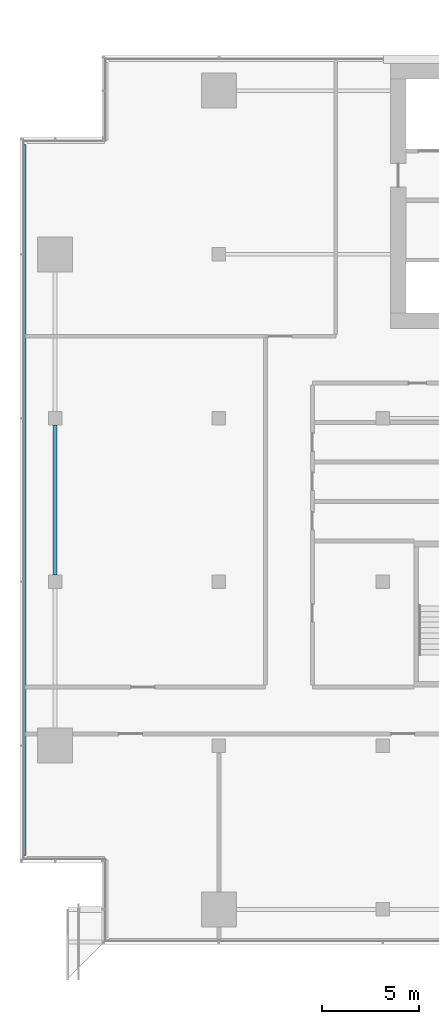
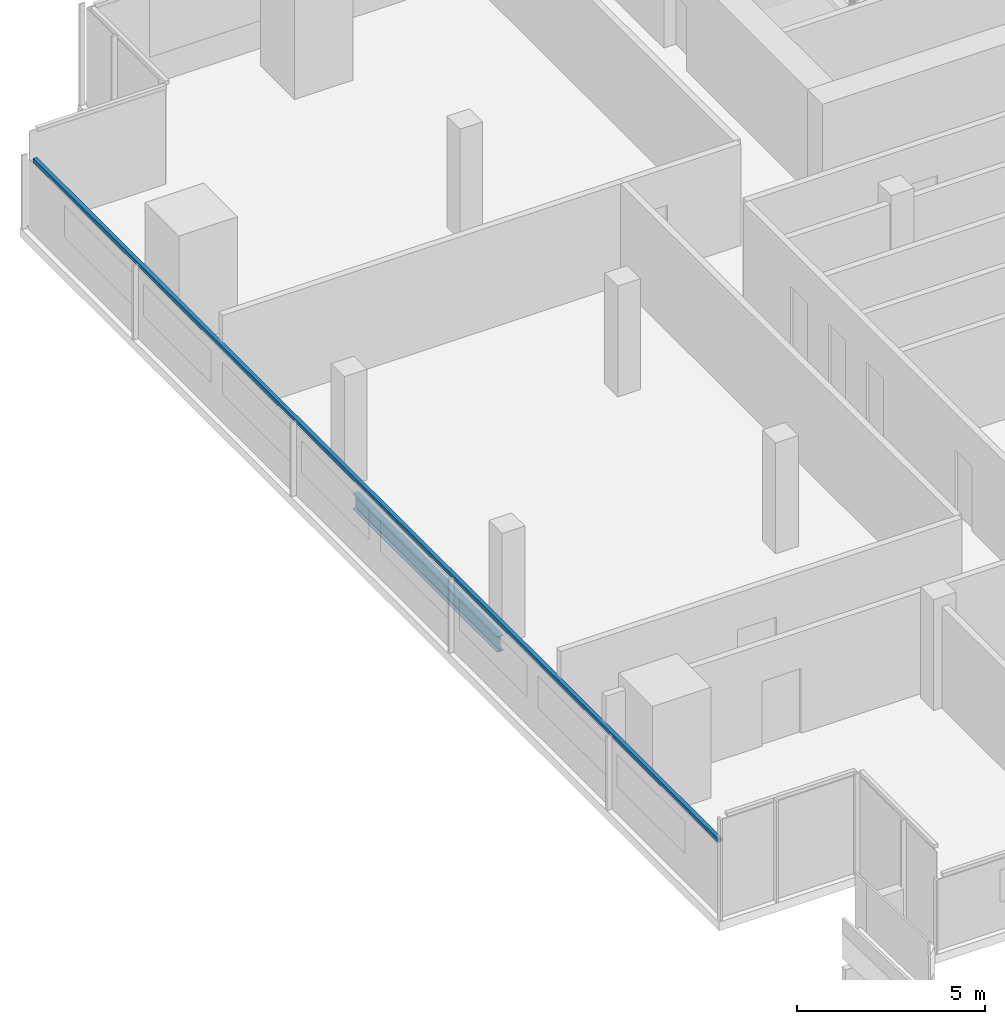
# One storey, part 5 of 24: 1 beam, 1 member, 1 element without a shape of its own.
"""IFC4 building model written with IfcOpenShell, lengths in metres."""

import ifcopenshell
import ifcopenshell.guid

model = None  # the IFC model being written
_history = None  # IfcOwnerHistory: only IFC2X3 demands one
_inside = {}  # id of a spatial element -> (the spatial element, [elements in it])
_under = {}  # id of a project, library or spatial element -> (it, [spatial elements below it])
_declared = {}  # id of a project -> (the project, [libraries it declares])
_typed = {}  # id of a type object -> (the type object, [elements of that type])
_made_of = {}  # id of a material, layer set ... -> (it, [elements and type objects made of it])


def new_model(schema):
    """Start an empty IFC model of exactly this schema.

    Asked for "IFC4X3", IfcOpenShell would pick the latest addendum, in which some entities
    have other attributes; the version numbers below select the first issue.
    IFC2X3 requires an IfcOwnerHistory on every rooted entity: one is made here for all.
    """
    global model, _history
    if schema == "IFC4X3":
        model = ifcopenshell.file(schema_version=(4, 3, 0, 0))
    else:
        model = ifcopenshell.file(schema=schema)
    _inside.clear()
    _under.clear()
    _declared.clear()
    _typed.clear()
    _made_of.clear()
    _history = None
    if model.schema == "IFC2X3":
        org = make("IfcOrganization", Name="unknown")
        user = make(
            "IfcPersonAndOrganization",
            ThePerson=make("IfcPerson", FamilyName="unknown"),
            TheOrganization=org,
        )
        app = make(
            "IfcApplication",
            ApplicationDeveloper=org,
            Version="unknown",
            ApplicationFullName="unknown",
            ApplicationIdentifier="unknown",
        )
        _history = make(
            "IfcOwnerHistory",
            OwningUser=user,
            OwningApplication=app,
            ChangeAction="ADDED",
            CreationDate=0,
        )
    return model


def make(cls, **values):
    """One entity of the class cls with the attributes given. An attribute that is None is left unset."""
    return model.create_entity(
        cls, **{name: value for name, value in values.items() if value is not None}
    )


def rooted(cls, **values):
    """An entity with a GlobalId (a new one), such as an element, a storey or a relation."""
    return make(cls, GlobalId=ifcopenshell.guid.new(), OwnerHistory=_history, **values)


def si_unit(unit_type, name, prefix=None):
    """IfcSIUnit, for example si_unit("LENGTHUNIT", "METRE", prefix="MILLI")."""
    return make("IfcSIUnit", UnitType=unit_type, Prefix=prefix, Name=name)


def assignment(units):
    """IfcUnitAssignment: the units of a project."""
    return None if units is None else make("IfcUnitAssignment", Units=units)


def point(xyz):
    """IfcCartesianPoint."""
    return None if xyz is None else make("IfcCartesianPoint", Coordinates=xyz)


def direction(xyz):
    """IfcDirection."""
    return None if xyz is None else make("IfcDirection", DirectionRatios=xyz)


def frame(location, z_axis=None, x_axis=None):
    """IfcAxis2Placement3D, a coordinate frame: its origin and axes. An axis left out is left unset."""
    return make(
        "IfcAxis2Placement3D",
        Location=point(location),
        Axis=direction(z_axis),
        RefDirection=direction(x_axis),
    )


def frame_2d(location, x_axis=None):
    """IfcAxis2Placement2D, a coordinate frame in the plane: its origin and x axis."""
    return make(
        "IfcAxis2Placement2D", Location=point(location), RefDirection=direction(x_axis)
    )


def origin():
    """The frame at (0, 0, 0) with its axes left unset."""
    return frame((0.0, 0.0, 0.0))


def origin_2d():
    """The frame at (0, 0) in the plane with its x axis left unset."""
    return frame_2d((0.0, 0.0))


def place(relative_to, where):
    """IfcLocalPlacement: puts the frame where relative to a parent placement (None: the world)."""
    return make(
        "IfcLocalPlacement", PlacementRelTo=relative_to, RelativePlacement=where
    )


def context(
    kind, dimensions, precision=None, world=None, true_north=None, identifier=None
):
    """IfcGeometricRepresentationContext, for example the 3D "Model" context."""
    return make(
        "IfcGeometricRepresentationContext",
        ContextIdentifier=identifier,
        ContextType=kind,
        CoordinateSpaceDimension=dimensions,
        Precision=precision,
        WorldCoordinateSystem=world,
        TrueNorth=true_north,
    )


def subcontext(parent, identifier, kind, view, scale=None):
    """IfcGeometricRepresentationSubContext, for example "Body" below "Model"."""
    return make(
        "IfcGeometricRepresentationSubContext",
        ContextIdentifier=identifier,
        ContextType=kind,
        ParentContext=parent,
        TargetScale=scale,
        TargetView=view,
    )


def project(units=None, contexts=None):
    """IfcProject with its units and contexts."""
    return rooted(
        "IfcProject",
        Name="project",
        RepresentationContexts=contexts,
        UnitsInContext=assignment(units),
    )


def spatial(cls, under=None, at=None, **own):
    """A site, building, storey or space (cls), placed at a placement, below another one or the project."""
    s = rooted(cls, ObjectPlacement=at, **own)
    if under is not None:
        _under.setdefault(under.id(), (under, []))[1].append(s)
    return s


def profile(cls, at=None, kind="AREA", **sizes):
    """A parametric profile (cls). Its sizes go by their IFC names, for example OverallWidth=200.0."""
    return make(cls, ProfileType=kind, Position=at, **sizes)


def rectangle(**sizes):
    """IfcRectangleProfileDef."""
    return profile("IfcRectangleProfileDef", **sizes)


def i_section(**sizes):
    """IfcIShapeProfileDef."""
    return profile("IfcIShapeProfileDef", **sizes)


def extrude(swept, where, along, depth):
    """IfcExtrudedAreaSolid: the profile swept, set in the frame where, extruded along a direction by depth."""
    return make(
        "IfcExtrudedAreaSolid",
        SweptArea=swept,
        Position=where,
        ExtrudedDirection=direction(along),
        Depth=depth,
    )


def shape(context_of_items, identifier, shape_type, items):
    """IfcShapeRepresentation: the items that make up one representation, for example the "Body"."""
    return make(
        "IfcShapeRepresentation",
        ContextOfItems=context_of_items,
        RepresentationIdentifier=identifier,
        RepresentationType=shape_type,
        Items=items,
    )


def material(Name=None, Category=None):
    """IfcMaterial."""
    return make("IfcMaterial", Name=Name, Category=Category)


def material_profile(
    of_material, cross_section, Name=None, Category=None, Priority=None
):
    """IfcMaterialProfile: a cross section and its material."""
    return make(
        "IfcMaterialProfile",
        Name=Name,
        Material=of_material,
        Profile=cross_section,
        Priority=Priority,
        Category=Category,
    )


def profile_set(profiles, Name=None, composite=None):
    """IfcMaterialProfileSet."""
    return make(
        "IfcMaterialProfileSet",
        Name=Name,
        MaterialProfiles=profiles,
        CompositeProfile=composite,
    )


def made_of(thing, what):
    """Note that an element or type object is made of a material, layer set ...; save() writes the relation."""
    if what is not None:
        _made_of.setdefault(what.id(), (what, []))[1].append(thing)
    return thing


def type_object(cls, material=None, **own):
    """A type object (cls), such as IfcWallType, which elements share."""
    return made_of(rooted(cls, **own), material)


def element(
    cls,
    number,
    at=None,
    inside=None,
    cuts=None,
    type_object=None,
    material=None,
    context=None,
    identifier="Body",
    shape_type=None,
    held_by="IfcProductDefinitionShape",
    body=None,
    shapes=None,
    **own,
):
    """One element of the class cls, such as IfcWall. Its Tag is "e" and its number.

    at: its placement. inside: the storey or other place that contains it. cuts: it is an
    opening in that element (IfcRelVoidsElement). A single representation is given by context,
    identifier, shape_type and body (its items); several are given by shapes. held_by: the class
    of the entity that holds the representations. save() writes the other relations.
    """
    e = rooted(cls, Tag="e%d" % number, ObjectPlacement=at, **own)
    if body is not None:
        shapes = [shape(context, identifier, shape_type, body)]
    if shapes is not None:
        e.Representation = make(held_by, Representations=shapes)
    if inside is not None:
        _inside.setdefault(inside.id(), (inside, []))[1].append(e)
    if cuts is not None:
        rooted(
            "IfcRelVoidsElement", RelatingBuildingElement=cuts, RelatedOpeningElement=e
        )
    if type_object is not None:
        _typed.setdefault(type_object.id(), (type_object, []))[1].append(e)
    return made_of(e, material)


def aggregate(whole, parts):
    """IfcRelAggregates: a whole, such as a stair, and the parts it consists of."""
    return rooted("IfcRelAggregates", RelatingObject=whole, RelatedObjects=parts)


def save(model, path):
    """Write the relations noted so far, then the file.

    IfcRelAggregates (storeys below a building ...), IfcRelContainedInSpatialStructure (elements
    in a storey), IfcRelDefinesByType, IfcRelAssociatesMaterial and IfcRelDeclares: one each for
    every whole, place, type object, material and project.
    """
    for whole, parts in _under.values():
        aggregate(whole, parts)
    for where, things in _inside.values():
        rooted(
            "IfcRelContainedInSpatialStructure",
            RelatedElements=things,
            RelatingStructure=where,
        )
    for kind, things in _typed.values():
        rooted("IfcRelDefinesByType", RelatedObjects=things, RelatingType=kind)
    for what, things in _made_of.values():
        rooted("IfcRelAssociatesMaterial", RelatedObjects=things, RelatingMaterial=what)
    for by, libraries in _declared.values():
        rooted("IfcRelDeclares", RelatingContext=by, RelatedDefinitions=libraries)
    model.write(path)


model = new_model("IFC4")

# Units and contexts
model_context = context("Model", 3, precision=1e-05, world=origin(), true_north=direction((0.0, 1.0)))
body_context = subcontext(model_context, "Body", "Model", "MODEL_VIEW")
ifc_project = project(units=[si_unit("LENGTHUNIT", "METRE"), si_unit("AREAUNIT", "SQUARE_METRE"), si_unit("VOLUMEUNIT", "CUBIC_METRE"), si_unit("PLANEANGLEUNIT", "RADIAN"), si_unit("MASSUNIT", "GRAM", prefix="KILO")], contexts=[model_context])

# Site, building, storey
site_placement = place(None, origin())
site = spatial("IfcSite", under=ifc_project, at=site_placement, CompositionType="ELEMENT")
building_placement = place(site_placement, origin())
building = spatial("IfcBuilding", under=site, at=building_placement, Name="Saffron Gate Tower", CompositionType="ELEMENT")
storey_placement = place(building_placement, frame((0.0, 0.0, 190.64990234375)))
storey = spatial("IfcBuildingStorey", under=building, at=storey_placement, Name="L47", CompositionType="ELEMENT", Elevation=190.64990234375)

# Beam
ifc_material_1 = material(Name="Structural steel S355", Category="steel")
ifc_material_profile_1 = material_profile(ifc_material_1, i_section(OverallWidth=0.199951171875, OverallDepth=0.5, WebThickness=0.01025390625, FlangeThickness=0.01611328125, FilletRadius=0.02099609375, at=origin_2d()))
ifc_profile_set_1 = profile_set([ifc_material_profile_1], Name="Structural steel S355")
beam_type = type_object("IfcBeamType", Name="B11 IPE 500", PredefinedType="SPANDREL", material=ifc_profile_set_1)
beam_placement = place(storey_placement, frame((49.800048828125, 48.949951171875, -0.52978515625), z_axis=(0.0, 1.0, 0.0), x_axis=(-1.0, 0.0, 0.0)))
element("IfcBeam", 1, at=beam_placement, inside=storey, type_object=beam_type, Name="B11 SPANDREL BEAM", PredefinedType="SPANDREL", context=body_context, shape_type="SweptSolid", body=[
    extrude(i_section(OverallWidth=0.199951171875, OverallDepth=0.5, WebThickness=0.01025390625, FlangeThickness=0.01611328125, FilletRadius=0.02099609375, at=origin_2d()), origin(), (0.0, 0.0, 1.0), 7.699951171875),
])

# Curtain wall, member
ifc_material_2 = material(Name="Aluminium, bronze anodised", Category="aluminium")
curtain_wall_type = type_object("IfcCurtainWallType", Name="CWS2 curtain wall side facades", PredefinedType="NOTDEFINED", material=ifc_material_2)
curtain_wall_placement = place(storey_placement, origin())
curtain_wall = element("IfcCurtainWall", 2, at=curtain_wall_placement, inside=storey, type_object=curtain_wall_type, Name="CWS2 run 10", PredefinedType="NOTDEFINED")
ifc_material_profile_2 = material_profile(ifc_material_2, rectangle(XDim=0.1201171875, YDim=0.1201171875, at=origin_2d()))
ifc_profile_set_2 = profile_set([ifc_material_profile_2], Name="Aluminium, bronze anodised")
member_type = type_object("IfcMemberType", Name="CWS2 head transom", PredefinedType="USERDEFINED", material=ifc_profile_set_2)
member_placement = place(storey_placement, frame((48.248046875, 71.031982421875, 2.35009765625), z_axis=(0.0, -1.0, 0.0), x_axis=(1.0, 0.0, 0.0)))
member = element("IfcMember", 3, at=member_placement, type_object=member_type, Name="CWS2 head transom", ObjectType="TRANSOM", PredefinedType="USERDEFINED", context=body_context, shape_type="SweptSolid", body=[
    extrude(rectangle(XDim=0.1201171875, YDim=0.1201171875, at=origin_2d()), origin(), (0.0, 0.0, 1.0), 36.4638671875),
])
aggregate(curtain_wall, [member])

save(model, "model.ifc")
